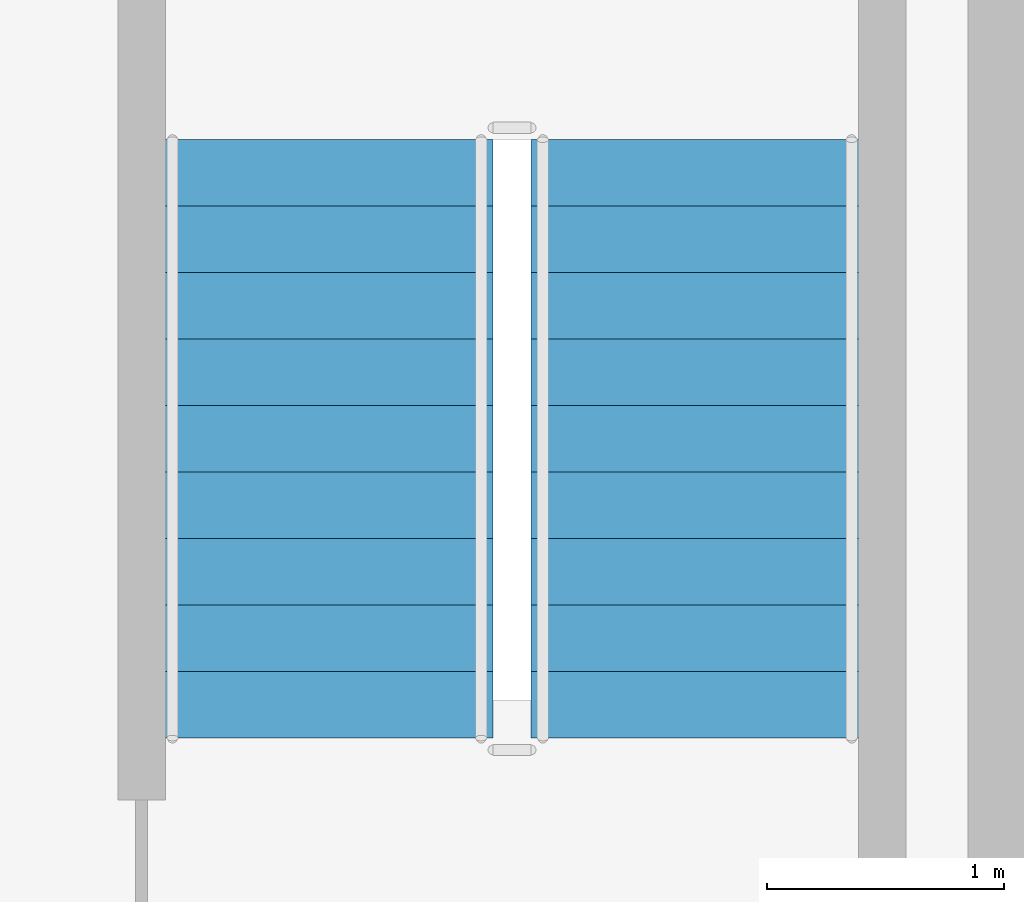
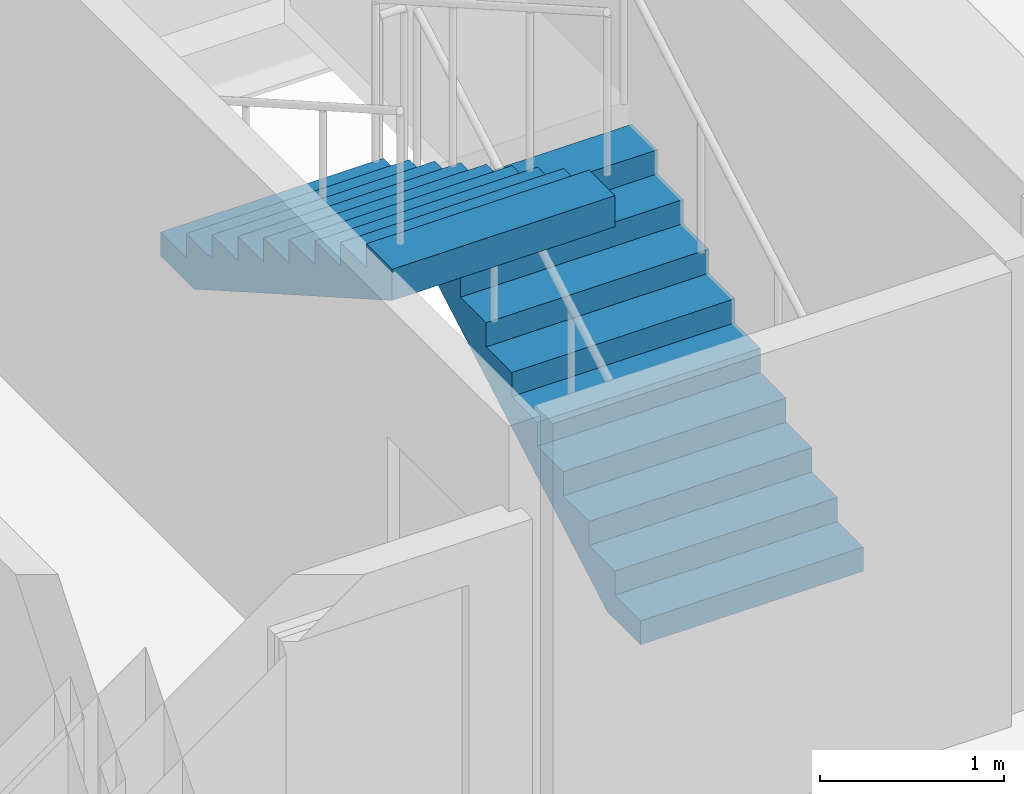
# One storey, part 5 of 7: 2 stair flights, 1 element without a shape of its own.
"""IFC4 building model written with IfcOpenShell, lengths in metres."""

import ifcopenshell
import ifcopenshell.guid

model = None  # the IFC model being written
_history = None  # IfcOwnerHistory: only IFC2X3 demands one
_inside = {}  # id of a spatial element -> (the spatial element, [elements in it])
_under = {}  # id of a project, library or spatial element -> (it, [spatial elements below it])
_declared = {}  # id of a project -> (the project, [libraries it declares])
_typed = {}  # id of a type object -> (the type object, [elements of that type])
_made_of = {}  # id of a material, layer set ... -> (it, [elements and type objects made of it])


def new_model(schema):
    """Start an empty IFC model of exactly this schema.

    Asked for "IFC4X3", IfcOpenShell would pick the latest addendum, in which some entities
    have other attributes; the version numbers below select the first issue.
    IFC2X3 requires an IfcOwnerHistory on every rooted entity: one is made here for all.
    """
    global model, _history
    if schema == "IFC4X3":
        model = ifcopenshell.file(schema_version=(4, 3, 0, 0))
    else:
        model = ifcopenshell.file(schema=schema)
    _inside.clear()
    _under.clear()
    _declared.clear()
    _typed.clear()
    _made_of.clear()
    _history = None
    if model.schema == "IFC2X3":
        org = make("IfcOrganization", Name="unknown")
        user = make(
            "IfcPersonAndOrganization",
            ThePerson=make("IfcPerson", FamilyName="unknown"),
            TheOrganization=org,
        )
        app = make(
            "IfcApplication",
            ApplicationDeveloper=org,
            Version="unknown",
            ApplicationFullName="unknown",
            ApplicationIdentifier="unknown",
        )
        _history = make(
            "IfcOwnerHistory",
            OwningUser=user,
            OwningApplication=app,
            ChangeAction="ADDED",
            CreationDate=0,
        )
    return model


def make(cls, **values):
    """One entity of the class cls with the attributes given. An attribute that is None is left unset."""
    return model.create_entity(
        cls, **{name: value for name, value in values.items() if value is not None}
    )


def rooted(cls, **values):
    """An entity with a GlobalId (a new one), such as an element, a storey or a relation."""
    return make(cls, GlobalId=ifcopenshell.guid.new(), OwnerHistory=_history, **values)


def si_unit(unit_type, name, prefix=None):
    """IfcSIUnit, for example si_unit("LENGTHUNIT", "METRE", prefix="MILLI")."""
    return make("IfcSIUnit", UnitType=unit_type, Prefix=prefix, Name=name)


def assignment(units):
    """IfcUnitAssignment: the units of a project."""
    return None if units is None else make("IfcUnitAssignment", Units=units)


def point(xyz):
    """IfcCartesianPoint."""
    return None if xyz is None else make("IfcCartesianPoint", Coordinates=xyz)


def direction(xyz):
    """IfcDirection."""
    return None if xyz is None else make("IfcDirection", DirectionRatios=xyz)


def frame(location, z_axis=None, x_axis=None):
    """IfcAxis2Placement3D, a coordinate frame: its origin and axes. An axis left out is left unset."""
    return make(
        "IfcAxis2Placement3D",
        Location=point(location),
        Axis=direction(z_axis),
        RefDirection=direction(x_axis),
    )


def origin():
    """The frame at (0, 0, 0) with its axes left unset."""
    return frame((0.0, 0.0, 0.0))


def place(relative_to, where):
    """IfcLocalPlacement: puts the frame where relative to a parent placement (None: the world)."""
    return make(
        "IfcLocalPlacement", PlacementRelTo=relative_to, RelativePlacement=where
    )


def context(
    kind, dimensions, precision=None, world=None, true_north=None, identifier=None
):
    """IfcGeometricRepresentationContext, for example the 3D "Model" context."""
    return make(
        "IfcGeometricRepresentationContext",
        ContextIdentifier=identifier,
        ContextType=kind,
        CoordinateSpaceDimension=dimensions,
        Precision=precision,
        WorldCoordinateSystem=world,
        TrueNorth=true_north,
    )


def subcontext(parent, identifier, kind, view, scale=None):
    """IfcGeometricRepresentationSubContext, for example "Body" below "Model"."""
    return make(
        "IfcGeometricRepresentationSubContext",
        ContextIdentifier=identifier,
        ContextType=kind,
        ParentContext=parent,
        TargetScale=scale,
        TargetView=view,
    )


def project(units=None, contexts=None):
    """IfcProject with its units and contexts."""
    return rooted(
        "IfcProject",
        Name="project",
        RepresentationContexts=contexts,
        UnitsInContext=assignment(units),
    )


def spatial(cls, under=None, at=None, **own):
    """A site, building, storey or space (cls), placed at a placement, below another one or the project."""
    s = rooted(cls, ObjectPlacement=at, **own)
    if under is not None:
        _under.setdefault(under.id(), (under, []))[1].append(s)
    return s


def polyline(points):
    """IfcPolyline through the points."""
    return make("IfcPolyline", Points=[point(p) for p in points])


def outline(outer, holes=None, kind="AREA"):
    """IfcArbitraryClosedProfileDef: a profile drawn as a closed curve; with holes, ...WithVoids."""
    if holes is None:
        return make("IfcArbitraryClosedProfileDef", ProfileType=kind, OuterCurve=outer)
    return make(
        "IfcArbitraryProfileDefWithVoids",
        ProfileType=kind,
        OuterCurve=outer,
        InnerCurves=holes,
    )


def extrude(swept, where, along, depth):
    """IfcExtrudedAreaSolid: the profile swept, set in the frame where, extruded along a direction by depth."""
    return make(
        "IfcExtrudedAreaSolid",
        SweptArea=swept,
        Position=where,
        ExtrudedDirection=direction(along),
        Depth=depth,
    )


def shape(context_of_items, identifier, shape_type, items):
    """IfcShapeRepresentation: the items that make up one representation, for example the "Body"."""
    return make(
        "IfcShapeRepresentation",
        ContextOfItems=context_of_items,
        RepresentationIdentifier=identifier,
        RepresentationType=shape_type,
        Items=items,
    )


def material(Name=None, Category=None):
    """IfcMaterial."""
    return make("IfcMaterial", Name=Name, Category=Category)


def made_of(thing, what):
    """Note that an element or type object is made of a material, layer set ...; save() writes the relation."""
    if what is not None:
        _made_of.setdefault(what.id(), (what, []))[1].append(thing)
    return thing


def type_object(cls, material=None, **own):
    """A type object (cls), such as IfcWallType, which elements share."""
    return made_of(rooted(cls, **own), material)


def element(
    cls,
    number,
    at=None,
    inside=None,
    cuts=None,
    type_object=None,
    material=None,
    context=None,
    identifier="Body",
    shape_type=None,
    held_by="IfcProductDefinitionShape",
    body=None,
    shapes=None,
    **own,
):
    """One element of the class cls, such as IfcWall. Its Tag is "e" and its number.

    at: its placement. inside: the storey or other place that contains it. cuts: it is an
    opening in that element (IfcRelVoidsElement). A single representation is given by context,
    identifier, shape_type and body (its items); several are given by shapes. held_by: the class
    of the entity that holds the representations. save() writes the other relations.
    """
    e = rooted(cls, Tag="e%d" % number, ObjectPlacement=at, **own)
    if body is not None:
        shapes = [shape(context, identifier, shape_type, body)]
    if shapes is not None:
        e.Representation = make(held_by, Representations=shapes)
    if inside is not None:
        _inside.setdefault(inside.id(), (inside, []))[1].append(e)
    if cuts is not None:
        rooted(
            "IfcRelVoidsElement", RelatingBuildingElement=cuts, RelatedOpeningElement=e
        )
    if type_object is not None:
        _typed.setdefault(type_object.id(), (type_object, []))[1].append(e)
    return made_of(e, material)


def aggregate(whole, parts):
    """IfcRelAggregates: a whole, such as a stair, and the parts it consists of."""
    return rooted("IfcRelAggregates", RelatingObject=whole, RelatedObjects=parts)


def save(model, path):
    """Write the relations noted so far, then the file.

    IfcRelAggregates (storeys below a building ...), IfcRelContainedInSpatialStructure (elements
    in a storey), IfcRelDefinesByType, IfcRelAssociatesMaterial and IfcRelDeclares: one each for
    every whole, place, type object, material and project.
    """
    for whole, parts in _under.values():
        aggregate(whole, parts)
    for where, things in _inside.values():
        rooted(
            "IfcRelContainedInSpatialStructure",
            RelatedElements=things,
            RelatingStructure=where,
        )
    for kind, things in _typed.values():
        rooted("IfcRelDefinesByType", RelatedObjects=things, RelatingType=kind)
    for what, things in _made_of.values():
        rooted("IfcRelAssociatesMaterial", RelatedObjects=things, RelatingMaterial=what)
    for by, libraries in _declared.values():
        rooted("IfcRelDeclares", RelatingContext=by, RelatedDefinitions=libraries)
    model.write(path)


model = new_model("IFC4")

# Units and contexts
model_context = context("Model", 3, precision=1e-05, world=origin(), true_north=direction((0.0, 1.0)))
body_context = subcontext(model_context, "Body", "Model", "MODEL_VIEW")
ifc_project = project(units=[si_unit("LENGTHUNIT", "METRE"), si_unit("AREAUNIT", "SQUARE_METRE"), si_unit("VOLUMEUNIT", "CUBIC_METRE"), si_unit("PLANEANGLEUNIT", "RADIAN"), si_unit("MASSUNIT", "GRAM", prefix="KILO")], contexts=[model_context])

# Site, building, storey
site_placement = place(None, origin())
site = spatial("IfcSite", under=ifc_project, at=site_placement, CompositionType="ELEMENT")
building_placement = place(site_placement, origin())
building = spatial("IfcBuilding", under=site, at=building_placement, Name="Kuzgunbayir Cultural Tower", CompositionType="ELEMENT")
storey_placement = place(building_placement, frame((0.0, 0.0, 179.199951171875)))
storey = spatial("IfcBuildingStorey", under=building, at=storey_placement, Name="L52", CompositionType="ELEMENT", Elevation=179.199951171875)

# Stair, stair flights
ifc_material = material(Name="Concrete C40/50", Category="concrete")
stair_type = type_object("IfcStairType", Name="STR-EXIT-CORE", PredefinedType="HALF_TURN_STAIR", material=ifc_material)
stair_placement = place(storey_placement, origin())
stair = element("IfcStair", 1, at=stair_placement, inside=storey, type_object=stair_type, Name="L52 ST-2", PredefinedType="HALF_TURN_STAIR")
stair_flight_type = type_object("IfcStairFlightType", Name="STRF-RC-140", PredefinedType="STRAIGHT", material=ifc_material)
stair_flight_1_placement = place(storey_placement, frame((25.4599609375, 35.60009765625, 0.0), z_axis=(0.0, 0.0, 1.0), x_axis=(0.0, 1.0, 0.0)))
stair_flight_1 = element("IfcStairFlight", 2, at=stair_flight_1_placement, type_object=stair_flight_type, Name="ST-2 flight 1", NumberOfRisers=10, NumberOfTreads=9, PredefinedType="STRAIGHT", RiserHeight=0.16, TreadLength=0.28, context=body_context, shape_type="SweptSolid", body=[
    extrude(outline(polyline([(0.0, 0.0), (0.0, 0.159912109375), (0.280029296875, 0.159912109375), (0.280029296875, 0.320068359375), (0.56005859375, 0.320068359375), (0.56005859375, 0.47998046875), (0.840087890625, 0.47998046875), (0.840087890625, 0.639892578125), (1.1201171875, 0.639892578125), (1.1201171875, 0.800048828125), (1.39990234375, 0.800048828125), (1.39990234375, 0.9599609375), (1.679931640625, 0.9599609375), (1.679931640625, 1.1201171875), (1.9599609375, 1.1201171875), (1.9599609375, 1.280029296875), (2.239990234375, 1.280029296875), (2.239990234375, 1.43994140625), (2.52001953125, 1.43994140625), (2.52001953125, 1.60009765625), (2.52001953125, 1.232666015625), (0.362548828125, 0.0), (0.0, 0.0)])), frame((0.0, 0.699951171875, 0.0), z_axis=(0.0, -1.0, 0.0), x_axis=(1.0, 0.0, 0.0)), (0.0, 0.0, 1.0), 1.39990234375),
])
stair_flight_2_placement = place(storey_placement, frame((23.89990234375, 38.1201171875, 1.60009765625), z_axis=(0.0, 0.0, 1.0), x_axis=(0.0, -1.0, 0.0)))
stair_flight_2 = element("IfcStairFlight", 3, at=stair_flight_2_placement, type_object=stair_flight_type, Name="ST-2 flight 2", NumberOfRisers=10, NumberOfTreads=9, PredefinedType="STRAIGHT", RiserHeight=0.16, TreadLength=0.28, context=body_context, shape_type="SweptSolid", body=[
    extrude(outline(polyline([(0.0, 0.0), (0.0, 0.159912109375), (0.280029296875, 0.159912109375), (0.280029296875, 0.320068359375), (0.56005859375, 0.320068359375), (0.56005859375, 0.47998046875), (0.840087890625, 0.47998046875), (0.840087890625, 0.639892578125), (1.1201171875, 0.639892578125), (1.1201171875, 0.800048828125), (1.39990234375, 0.800048828125), (1.39990234375, 0.9599609375), (1.679931640625, 0.9599609375), (1.679931640625, 1.1201171875), (1.9599609375, 1.1201171875), (1.9599609375, 1.280029296875), (2.239990234375, 1.280029296875), (2.239990234375, 1.43994140625), (2.52001953125, 1.43994140625), (2.52001953125, 1.60009765625), (2.52001953125, 1.232666015625), (0.362548828125, 0.0), (0.0, 0.0)])), frame((0.0, 0.699951171875, 0.0), z_axis=(0.0, -1.0, 0.0), x_axis=(1.0, 0.0, 0.0)), (0.0, 0.0, 1.0), 1.39990234375),
])
aggregate(stair, [stair_flight_1, stair_flight_2])

save(model, "model.ifc")
